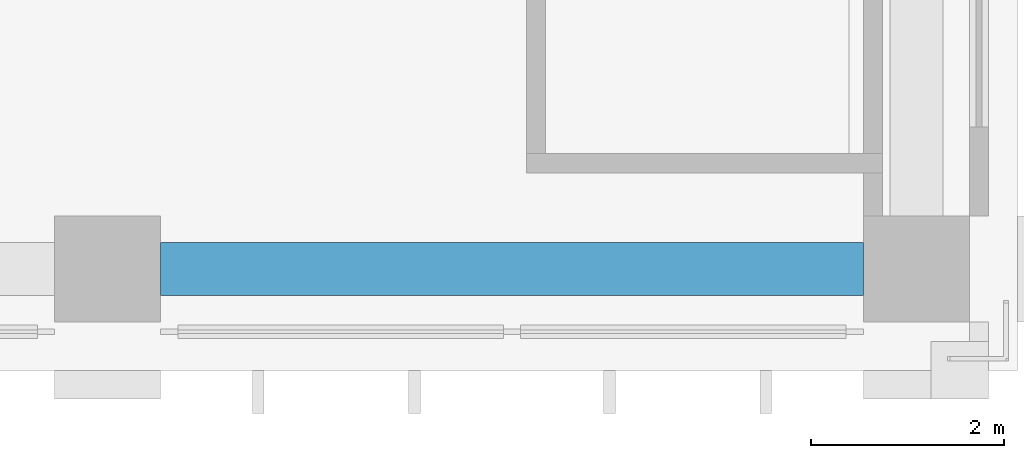
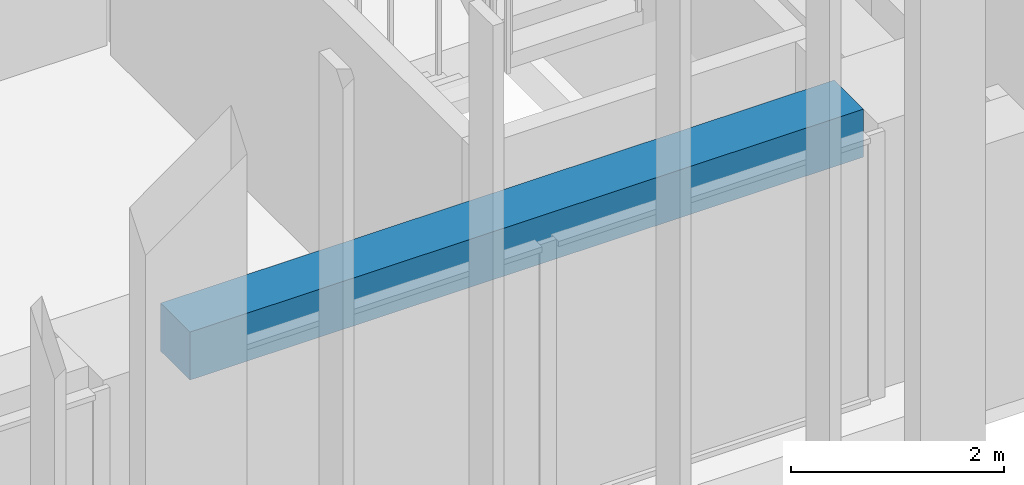
# One storey, part 3 of 16: 1 beam.
"""IFC4 building model written with IfcOpenShell, lengths in metres."""

from ifc_helpers import new_model, si_unit, direction, frame, origin, origin_2d, place, context, subcontext, project, spatial, rectangle, extrude, material, material_profile, profile_set, type_object, element, save


model = new_model("IFC4")

# Units and contexts
model_context = context("Model", 3, precision=1e-05, world=origin(), true_north=direction((0.0, 1.0)))
body_context = subcontext(model_context, "Body", "Model", "MODEL_VIEW")
ifc_project = project(units=[si_unit("LENGTHUNIT", "METRE"), si_unit("AREAUNIT", "SQUARE_METRE"), si_unit("VOLUMEUNIT", "CUBIC_METRE"), si_unit("PLANEANGLEUNIT", "RADIAN"), si_unit("MASSUNIT", "GRAM", prefix="KILO")], contexts=[model_context])

# Site, building, storey
site_placement = place(None, origin())
site = spatial("IfcSite", under=ifc_project, at=site_placement, CompositionType="ELEMENT")
building_placement = place(site_placement, origin())
building = spatial("IfcBuilding", under=site, at=building_placement, Name="Vermilion Ogive Tower", CompositionType="ELEMENT")
storey_placement = place(building_placement, frame((0.0, 0.0, 164.14990234375)))
storey = spatial("IfcBuildingStorey", under=building, at=storey_placement, Name="L42", CompositionType="ELEMENT", Elevation=164.14990234375)

# Beam
ifc_material = material(Name="Concrete B45", Category="concrete")
ifc_material_profile = material_profile(ifc_material, rectangle(XDim=0.550048828125, YDim=0.550048828125, at=origin_2d()), Name="550 x 550")
ifc_profile_set = profile_set([ifc_material_profile], Name="Concrete B45")
beam_type = type_object("IfcBeamType", Name="Edge beam 550 x 550 B45", PredefinedType="BEAM", material=ifc_profile_set)
beam_placement = place(storey_placement, frame((4.75, -21.0, 2.775146484375), z_axis=(1.0, 0.0, 0.0), x_axis=(0.0, 1.0, 0.0)))
element("IfcBeam", 1, at=beam_placement, inside=storey, type_object=beam_type, Name="L42-EB-3", PredefinedType="BEAM", context=body_context, shape_type="SweptSolid", body=[
    extrude(rectangle(XDim=0.550048828125, YDim=0.550048828125, at=origin_2d()), origin(), (0.0, 0.0, 1.0), 7.300048828125),
])

save(model, "model.ifc")
